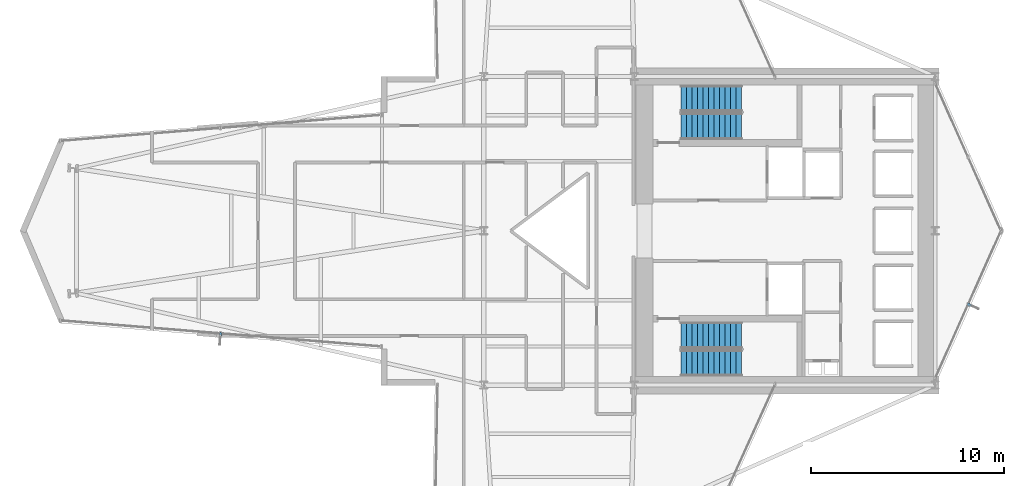
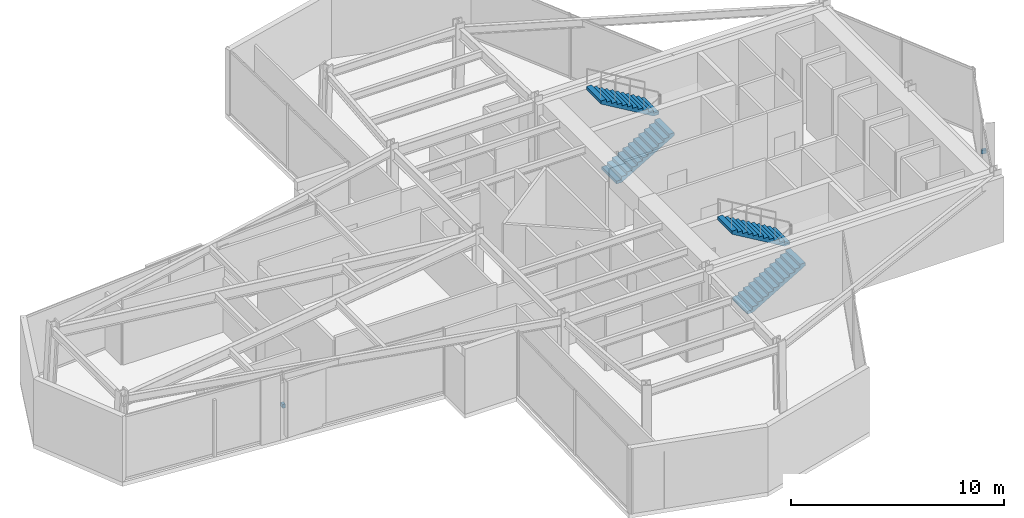
# One storey, part 24 of 25: 4 stair flights, 2 discrete accessories, 2 elements without a shape of their own.
"""IFC4 building model written with IfcOpenShell, lengths in metres."""

from ifc_helpers import new_model, si_unit, direction, frame, origin, origin_2d, place, context, subcontext, project, spatial, polyline, rectangle, outline, extrude, material, layer, layer_set, type_object, element, aggregate, save


model = new_model("IFC4")

# Units and contexts
model_context = context("Model", 3, precision=1e-05, world=origin(), true_north=direction((0.0, 1.0)))
body_context = subcontext(model_context, "Body", "Model", "MODEL_VIEW")
ifc_project = project(units=[si_unit("LENGTHUNIT", "METRE"), si_unit("AREAUNIT", "SQUARE_METRE"), si_unit("VOLUMEUNIT", "CUBIC_METRE"), si_unit("PLANEANGLEUNIT", "RADIAN"), si_unit("MASSUNIT", "GRAM", prefix="KILO")], contexts=[model_context])

# Site, building, storey
site_placement = place(None, origin())
site = spatial("IfcSite", under=ifc_project, at=site_placement, CompositionType="ELEMENT")
building_placement = place(site_placement, origin())
building = spatial("IfcBuilding", under=site, at=building_placement, Name="Veymaron Broadcast Tower", CompositionType="ELEMENT")
storey_placement = place(building_placement, frame((0.0, 0.0, 102.60009765625)))
storey = spatial("IfcBuildingStorey", under=building, at=storey_placement, Name="L23", CompositionType="ELEMENT", Elevation=102.60009765625)

# Stair, stair flights
ifc_material_1 = material(Name="Concrete C50/60", Category="concrete")
stair_type_1 = type_object("IfcStairType", Name="STAIR-CORE-1", PredefinedType="HALF_TURN_STAIR", material=ifc_material_1)
stair_1_placement = place(storey_placement, origin())
stair_1 = element("IfcStair", 1, at=stair_1_placement, inside=storey, type_object=stair_type_1, Name="L23 North protected dog-leg exit stair ST1", PredefinedType="HALF_TURN_STAIR")
ifc_material_2 = material(Name="Precast concrete C50/60", Category="concrete")
stair_flight_type = type_object("IfcStairFlightType", Name="FLT-CORE-RC", PredefinedType="STRAIGHT", material=ifc_material_2)
stair_flight_1_placement = place(storey_placement, frame((41.429931640625, 29.419921875, 0.0), z_axis=(0.0, 0.0, 1.0), x_axis=(1.0, 0.0, 0.0)))
stair_flight_1 = element("IfcStairFlight", 2, at=stair_flight_1_placement, type_object=stair_flight_type, Name="ST1 flight 1", NumberOfRisers=12, NumberOfTreads=11, PredefinedType="STRAIGHT", RiserHeight=0.16875, TreadLength=0.285, context=body_context, shape_type="SweptSolid", body=[
    extrude(outline(polyline([(0.0, 0.0), (0.0, 0.168701171875), (0.284912109375, 0.168701171875), (0.284912109375, 0.33740234375), (0.570068359375, 0.33740234375), (0.570068359375, 0.50634765625), (0.85498046875, 0.50634765625), (0.85498046875, 0.675048828125), (1.139892578125, 0.675048828125), (1.139892578125, 0.84375), (1.425048828125, 0.84375), (1.425048828125, 1.012451171875), (1.7099609375, 1.012451171875), (1.7099609375, 1.18115234375), (1.9951171875, 1.18115234375), (1.9951171875, 1.35009765625), (2.280029296875, 1.35009765625), (2.280029296875, 1.518798828125), (2.56494140625, 1.518798828125), (2.56494140625, 1.6875), (2.85009765625, 1.6875), (2.85009765625, 1.856201171875), (3.135009765625, 1.856201171875), (3.135009765625, 2.02490234375), (3.135009765625, 1.68212890625), (0.294189453125, 0.0), (0.0, 0.0)])), frame((0.0, 0.68994140625, 0.0), z_axis=(0.0, -1.0, 0.0), x_axis=(1.0, 0.0, 0.0)), (0.0, 0.0, 1.0), 1.3798828125),
])
stair_flight_2_placement = place(storey_placement, frame((44.56494140625, 30.860107421875, 2.02490234375), z_axis=(0.0, 0.0, 1.0), x_axis=(-1.0, 0.0, 0.0)))
stair_flight_2 = element("IfcStairFlight", 3, at=stair_flight_2_placement, type_object=stair_flight_type, Name="ST1 flight 2", NumberOfRisers=12, NumberOfTreads=11, PredefinedType="STRAIGHT", RiserHeight=0.16875, TreadLength=0.285, context=body_context, shape_type="SweptSolid", body=[
    extrude(outline(polyline([(0.0, 0.0), (0.0, 0.168701171875), (0.284912109375, 0.168701171875), (0.284912109375, 0.33740234375), (0.570068359375, 0.33740234375), (0.570068359375, 0.50634765625), (0.85498046875, 0.50634765625), (0.85498046875, 0.675048828125), (1.139892578125, 0.675048828125), (1.139892578125, 0.84375), (1.425048828125, 0.84375), (1.425048828125, 1.012451171875), (1.7099609375, 1.012451171875), (1.7099609375, 1.18115234375), (1.9951171875, 1.18115234375), (1.9951171875, 1.35009765625), (2.280029296875, 1.35009765625), (2.280029296875, 1.518798828125), (2.56494140625, 1.518798828125), (2.56494140625, 1.6875), (2.85009765625, 1.6875), (2.85009765625, 1.856201171875), (3.135009765625, 1.856201171875), (3.135009765625, 2.02490234375), (3.135009765625, 1.68212890625), (0.294189453125, 0.0), (0.0, 0.0)])), frame((0.0, 0.68994140625, 0.0), z_axis=(0.0, -1.0, 0.0), x_axis=(1.0, 0.0, 0.0)), (0.0, 0.0, 1.0), 1.3798828125),
])
aggregate(stair_1, [stair_flight_1, stair_flight_2])

stair_type_2 = type_object("IfcStairType", Name="STAIR-CORE-2", PredefinedType="HALF_TURN_STAIR", material=ifc_material_1)
stair_2_placement = place(storey_placement, origin())
stair_2 = element("IfcStair", 4, at=stair_2_placement, inside=storey, type_object=stair_type_2, Name="L23 South protected dog-leg exit stair ST2", PredefinedType="HALF_TURN_STAIR")
stair_flight_3_placement = place(storey_placement, frame((41.429931640625, 17.139892578125, 0.0), z_axis=(0.0, 0.0, 1.0), x_axis=(1.0, 0.0, 0.0)))
stair_flight_3 = element("IfcStairFlight", 5, at=stair_flight_3_placement, type_object=stair_flight_type, Name="ST2 flight 1", NumberOfRisers=12, NumberOfTreads=11, PredefinedType="STRAIGHT", RiserHeight=0.16875, TreadLength=0.285, context=body_context, shape_type="SweptSolid", body=[
    extrude(outline(polyline([(0.0, 0.0), (0.0, 0.168701171875), (0.284912109375, 0.168701171875), (0.284912109375, 0.33740234375), (0.570068359375, 0.33740234375), (0.570068359375, 0.50634765625), (0.85498046875, 0.50634765625), (0.85498046875, 0.675048828125), (1.139892578125, 0.675048828125), (1.139892578125, 0.84375), (1.425048828125, 0.84375), (1.425048828125, 1.012451171875), (1.7099609375, 1.012451171875), (1.7099609375, 1.18115234375), (1.9951171875, 1.18115234375), (1.9951171875, 1.35009765625), (2.280029296875, 1.35009765625), (2.280029296875, 1.518798828125), (2.56494140625, 1.518798828125), (2.56494140625, 1.6875), (2.85009765625, 1.6875), (2.85009765625, 1.856201171875), (3.135009765625, 1.856201171875), (3.135009765625, 2.02490234375), (3.135009765625, 1.68212890625), (0.294189453125, 0.0), (0.0, 0.0)])), frame((0.0, 0.68994140625, 0.0), z_axis=(0.0, -1.0, 0.0), x_axis=(1.0, 0.0, 0.0)), (0.0, 0.0, 1.0), 1.3798828125),
])
stair_flight_4_placement = place(storey_placement, frame((44.56494140625, 18.580078125, 2.02490234375), z_axis=(0.0, 0.0, 1.0), x_axis=(-1.0, 0.0, 0.0)))
stair_flight_4 = element("IfcStairFlight", 6, at=stair_flight_4_placement, type_object=stair_flight_type, Name="ST2 flight 2", NumberOfRisers=12, NumberOfTreads=11, PredefinedType="STRAIGHT", RiserHeight=0.16875, TreadLength=0.285, context=body_context, shape_type="SweptSolid", body=[
    extrude(outline(polyline([(0.0, 0.0), (0.0, 0.168701171875), (0.284912109375, 0.168701171875), (0.284912109375, 0.33740234375), (0.570068359375, 0.33740234375), (0.570068359375, 0.50634765625), (0.85498046875, 0.50634765625), (0.85498046875, 0.675048828125), (1.139892578125, 0.675048828125), (1.139892578125, 0.84375), (1.425048828125, 0.84375), (1.425048828125, 1.012451171875), (1.7099609375, 1.012451171875), (1.7099609375, 1.18115234375), (1.9951171875, 1.18115234375), (1.9951171875, 1.35009765625), (2.280029296875, 1.35009765625), (2.280029296875, 1.518798828125), (2.56494140625, 1.518798828125), (2.56494140625, 1.6875), (2.85009765625, 1.6875), (2.85009765625, 1.856201171875), (3.135009765625, 1.856201171875), (3.135009765625, 2.02490234375), (3.135009765625, 1.68212890625), (0.294189453125, 0.0), (0.0, 0.0)])), frame((0.0, 0.68994140625, 0.0), z_axis=(0.0, -1.0, 0.0), x_axis=(1.0, 0.0, 0.0)), (0.0, 0.0, 1.0), 1.3798828125),
])
aggregate(stair_2, [stair_flight_3, stair_flight_4])

# Discrete accessories
ifc_material_3 = material(Name="Austenitic stainless steel AISI 316L", Category="steel")
ifc_layer = layer(ifc_material_3, 0.1201171875)
ifc_layer_set = layer_set([ifc_layer], Name="Austenitic stainless steel AISI 316L")
discrete_accessory_type = type_object("IfcDiscreteAccessoryType", Name="ACC-BRKT-SS1", PredefinedType="BRACKET", material=ifc_layer_set)
for number, where, z_axis, x_axis, name in (
    (7, (56.369384765625, 20.161376953125, 1.7548828125), (0.0, 0.0, 1.0), (0.913197277821, -0.407517768669, 0.0), "CW-L23-E2-1 fin bracket 1"),
    (8, (17.54638671875, 18.61279296875, 1.7548828125), (0.0, 0.0, 1.0), (-0.080738221838, -0.996735340767, 0.0), "CW-L23-E14-1 fin bracket 1"),
):
    element("IfcDiscreteAccessory", number, at=place(storey_placement, frame(where, z_axis=z_axis, x_axis=x_axis)), inside=storey, type_object=discrete_accessory_type, Name=name, PredefinedType="BRACKET", context=body_context, shape_type="SweptSolid", body=[
        extrude(rectangle(XDim=0.219970703125, YDim=0.139892578125, at=origin_2d()), origin(), (0.0, 0.0, 1.0), 0.219970703125),
    ])

save(model, "model.ifc")
